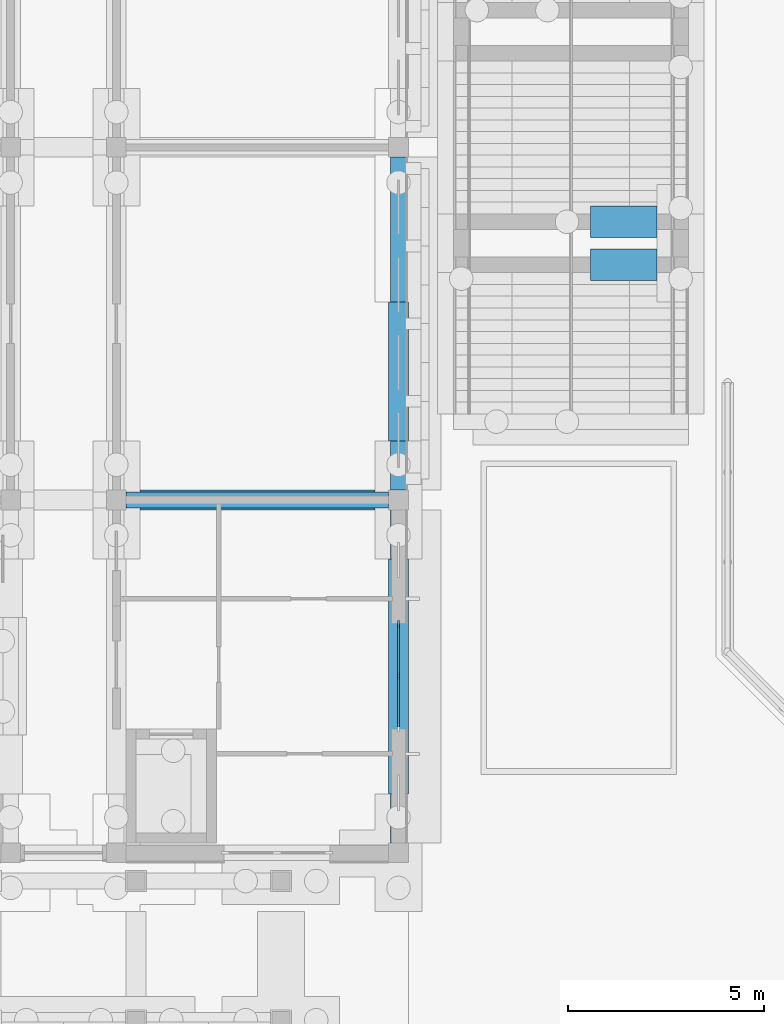
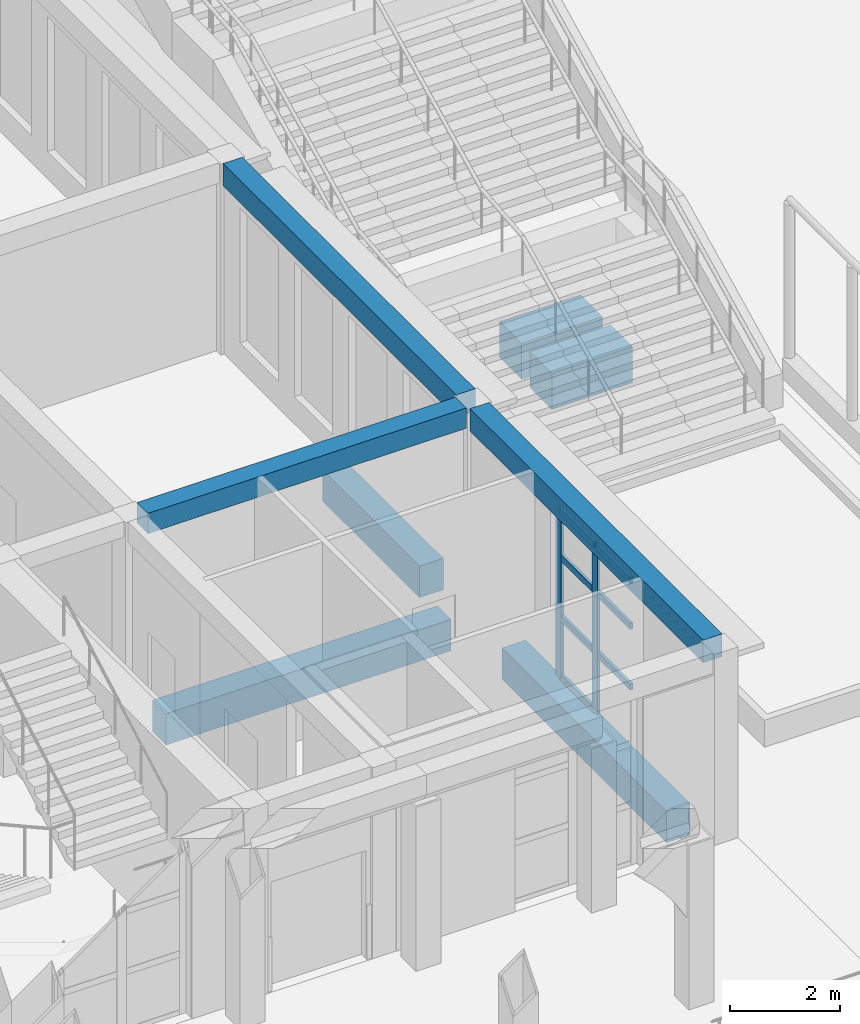
# One storey, part 34 of 161: 9 members, 8 beams, 1 element without a shape of its own.
"""IFC4 building model written with IfcOpenShell, lengths in metres."""

from ifc_helpers import new_model, si_unit, direction, frame, origin, origin_2d, place, context, subcontext, project, spatial, rectangle, extrude, material, layer, layer_set, material_profile, profile_set, type_object, element, aggregate, save


model = new_model("IFC4")

# Units and contexts
model_context = context("Model", 3, precision=1e-05, world=origin(), true_north=direction((0.0, 1.0)))
body_context = subcontext(model_context, "Body", "Model", "MODEL_VIEW")
ifc_project = project(units=[si_unit("LENGTHUNIT", "METRE"), si_unit("AREAUNIT", "SQUARE_METRE"), si_unit("VOLUMEUNIT", "CUBIC_METRE"), si_unit("PLANEANGLEUNIT", "RADIAN"), si_unit("MASSUNIT", "GRAM", prefix="KILO")], contexts=[model_context])

# Site, building, storey
site_placement = place(None, origin())
site = spatial("IfcSite", under=ifc_project, at=site_placement, CompositionType="ELEMENT")
building_placement = place(site_placement, origin())
building = spatial("IfcBuilding", under=site, at=building_placement, Name="Elbe Cascade School", CompositionType="ELEMENT")
storey_placement = place(building_placement, origin())
storey = spatial("IfcBuildingStorey", under=building, at=storey_placement, Name="L00", CompositionType="ELEMENT", Elevation=0.0)

# Curtain wall, members
ifc_material_1 = material(Name="Aluminium frame with double glazing, bronze anodised", Category="aluminium")
ifc_layer = layer(ifc_material_1, 0.199951171875)
ifc_layer_set = layer_set([ifc_layer], Name="Aluminium frame with double glazing, bronze anodised")
curtain_wall_type = type_object("IfcCurtainWallType", Name="Bars envelope Curtain wall, aluminium, bronze anodised, ground floor tall run", PredefinedType="NOTDEFINED", material=ifc_layer_set)
curtain_wall_placement = place(storey_placement, origin())
curtain_wall = element("IfcCurtainWall", 1, at=curtain_wall_placement, inside=storey, type_object=curtain_wall_type, Name="Curtain wall CW3 D.L00.e1", PredefinedType="NOTDEFINED")
ifc_material_2 = material(Name="Aluminium mullion, bronze anodised", Category="aluminium")
ifc_material_profile_1 = material_profile(ifc_material_2, rectangle(XDim=0.06005859375, YDim=0.199951171875, at=origin_2d()), Name="Bars envelope Curtain wall mullion 60 x 200, aluminium, ground floor tall run")
ifc_profile_set_1 = profile_set([ifc_material_profile_1], Name="Aluminium mullion, bronze anodised")
member_type_1 = type_object("IfcMemberType", Name="Bars envelope Curtain wall mullion 60 x 200, aluminium, ground floor tall run", PredefinedType="MULLION", material=ifc_profile_set_1)
member_1_placement = place(storey_placement, frame((174.89990234375, 11.820068359375, 0.0), z_axis=(0.0, 0.0, 1.0), x_axis=(1.0, 0.0, 0.0)))
member_1 = element("IfcMember", 2, at=member_1_placement, type_object=member_type_1, Name="CW3 mullion 1", PredefinedType="MULLION", context=body_context, shape_type="SweptSolid", body=[
    extrude(rectangle(XDim=0.06005859375, YDim=0.199951171875, at=origin_2d()), origin(), (0.0, 0.0, 1.0), 3.75),
])
member_2_placement = place(storey_placement, frame((174.89990234375, 10.5, 0.0), z_axis=(0.0, 0.0, 1.0), x_axis=(1.0, 0.0, 0.0)))
member_2 = element("IfcMember", 3, at=member_2_placement, type_object=member_type_1, Name="CW3 mullion 2", PredefinedType="MULLION", context=body_context, shape_type="SweptSolid", body=[
    extrude(rectangle(XDim=0.06005859375, YDim=0.199951171875, at=origin_2d()), origin(), (0.0, 0.0, 1.0), 3.75),
])
ifc_material_3 = material(Name="Aluminium transom, bronze anodised", Category="aluminium")
ifc_material_profile_2 = material_profile(ifc_material_3, rectangle(XDim=0.06005859375, YDim=0.139892578125, at=origin_2d()), Name="Bars envelope Curtain wall transom 60 x 140, aluminium, ground floor tall run")
ifc_profile_set_2 = profile_set([ifc_material_profile_2], Name="Aluminium transom, bronze anodised")
member_type_2 = type_object("IfcMemberType", Name="Bars envelope Curtain wall transom 60 x 140, aluminium, ground floor tall run", PredefinedType="USERDEFINED", material=ifc_profile_set_2)
member_3_placement = place(storey_placement, frame((174.89990234375, 11.7900390625, 0.030029296875), z_axis=(0.0, -1.0, 0.0), x_axis=(1.0, 0.0, 0.0)))
member_3 = element("IfcMember", 4, at=member_3_placement, type_object=member_type_2, Name="CW3 transom 1.1", ObjectType="TRANSOM", PredefinedType="USERDEFINED", context=body_context, shape_type="SweptSolid", body=[
    extrude(rectangle(XDim=0.06005859375, YDim=0.139892578125, at=origin_2d()), origin(), (0.0, 0.0, 1.0), 1.260009765625),
])
member_4_placement = place(storey_placement, frame((174.89990234375, 11.7900390625, 1.35009765625), z_axis=(0.0, -1.0, 0.0), x_axis=(1.0, 0.0, 0.0)))
member_4 = element("IfcMember", 5, at=member_4_placement, type_object=member_type_2, Name="CW3 transom 1.2", ObjectType="TRANSOM", PredefinedType="USERDEFINED", context=body_context, shape_type="SweptSolid", body=[
    extrude(rectangle(XDim=0.06005859375, YDim=0.139892578125, at=origin_2d()), origin(), (0.0, 0.0, 1.0), 1.260009765625),
])
member_5_placement = place(storey_placement, frame((174.89990234375, 11.7900390625, 2.699951171875), z_axis=(0.0, -1.0, 0.0), x_axis=(1.0, 0.0, 0.0)))
member_5 = element("IfcMember", 6, at=member_5_placement, type_object=member_type_2, Name="CW3 transom 1.3", ObjectType="TRANSOM", PredefinedType="USERDEFINED", context=body_context, shape_type="SweptSolid", body=[
    extrude(rectangle(XDim=0.06005859375, YDim=0.139892578125, at=origin_2d()), origin(), (0.0, 0.0, 1.0), 1.260009765625),
])
member_6_placement = place(storey_placement, frame((174.89990234375, 11.7900390625, 3.719970703125), z_axis=(0.0, -1.0, 0.0), x_axis=(1.0, 0.0, 0.0)))
member_6 = element("IfcMember", 7, at=member_6_placement, type_object=member_type_2, Name="CW3 transom 1.4", ObjectType="TRANSOM", PredefinedType="USERDEFINED", context=body_context, shape_type="SweptSolid", body=[
    extrude(rectangle(XDim=0.06005859375, YDim=0.139892578125, at=origin_2d()), origin(), (0.0, 0.0, 1.0), 1.260009765625),
])
member_7_placement = place(storey_placement, frame((174.89990234375, 10.469970703125, 1.35009765625), z_axis=(0.0, -1.0, 0.0), x_axis=(1.0, 0.0, 0.0)))
member_7 = element("IfcMember", 8, at=member_7_placement, type_object=member_type_2, Name="CW3 transom 2.2", ObjectType="TRANSOM", PredefinedType="USERDEFINED", context=body_context, shape_type="SweptSolid", body=[
    extrude(rectangle(XDim=0.06005859375, YDim=0.139892578125, at=origin_2d()), origin(), (0.0, 0.0, 1.0), 1.260009765625),
])
member_8_placement = place(storey_placement, frame((174.89990234375, 10.469970703125, 2.699951171875), z_axis=(0.0, -1.0, 0.0), x_axis=(1.0, 0.0, 0.0)))
member_8 = element("IfcMember", 9, at=member_8_placement, type_object=member_type_2, Name="CW3 transom 2.3", ObjectType="TRANSOM", PredefinedType="USERDEFINED", context=body_context, shape_type="SweptSolid", body=[
    extrude(rectangle(XDim=0.06005859375, YDim=0.139892578125, at=origin_2d()), origin(), (0.0, 0.0, 1.0), 1.260009765625),
])
member_9_placement = place(storey_placement, frame((174.89990234375, 10.469970703125, 3.719970703125), z_axis=(0.0, -1.0, 0.0), x_axis=(1.0, 0.0, 0.0)))
member_9 = element("IfcMember", 10, at=member_9_placement, type_object=member_type_2, Name="CW3 transom 2.4", ObjectType="TRANSOM", PredefinedType="USERDEFINED", context=body_context, shape_type="SweptSolid", body=[
    extrude(rectangle(XDim=0.06005859375, YDim=0.139892578125, at=origin_2d()), origin(), (0.0, 0.0, 1.0), 1.260009765625),
])
aggregate(curtain_wall, [member_1, member_2, member_3, member_4, member_5, member_6, member_7, member_8, member_9])

# Beams
ifc_material_4 = material(Name="Concrete C30/37", Category="concrete")
ifc_material_profile_3 = material_profile(ifc_material_4, rectangle(XDim=0.5, YDim=0.699951171875, at=origin_2d()), Name="RC 500x700")
ifc_profile_set_3 = profile_set([ifc_material_profile_3], Name="Concrete C30/37")
beam_type_1 = type_object("IfcBeamType", Name="Found ground beam RC 500x700", PredefinedType="BEAM", material=ifc_profile_set_3)
for number, where, z_axis, x_axis, name in (
    (11, (168.300048828125, 15.0, -0.64990234375), (1.0, 0.0, 0.0), (0.0, 1.0, 0.0), "Ground beam 287"),
    (12, (174.89990234375, 7.5, -0.64990234375), (0.0, 1.0, 0.0), (-1.0, 0.0, 0.0), "Ground beam 313"),
):
    element("IfcBeam", number, at=place(storey_placement, frame(where, z_axis=z_axis, x_axis=x_axis)), inside=storey, type_object=beam_type_1, Name=name, PredefinedType="BEAM", context=body_context, shape_type="SweptSolid", body=[
        extrude(rectangle(XDim=0.5, YDim=0.699951171875, at=origin_2d()), origin(), (0.0, 0.0, 1.0), 6.0),
    ])
beam_1_placement = place(storey_placement, frame((174.89990234375, 16.5, -0.64990234375), z_axis=(0.0, 1.0, 0.0), x_axis=(-1.0, 0.0, 0.0)))
element("IfcBeam", 13, at=beam_1_placement, inside=storey, type_object=beam_type_1, Name="Ground beam 314", PredefinedType="BEAM", context=body_context, shape_type="SweptSolid", body=[
    extrude(rectangle(XDim=0.5, YDim=0.699951171875, at=origin_2d()), origin(), (0.0, 0.0, 1.0), 3.550048828125),
])
ifc_material_5 = material(Name="Concrete C30/37", Category="concrete")
ifc_material_profile_4 = material_profile(ifc_material_5, rectangle(XDim=0.800048828125, YDim=0.800048828125, at=origin_2d()), Name="RC 800x800")
ifc_profile_set_4 = profile_set([ifc_material_profile_4], Name="Concrete C30/37")
beam_type_2 = type_object("IfcBeamType", Name="Found ground beam RC 800x800", PredefinedType="BEAM", material=ifc_profile_set_4)
for number, where, z_axis, x_axis, name in (
    (14, (179.800048828125, 21.0, -0.699951171875), (1.0, 0.0, 0.0), (0.0, 1.0, 0.0), "Ground beam 086"),
    (15, (179.800048828125, 22.10009765625, -0.699951171875), (1.0, 0.0, 0.0), (0.0, 1.0, 0.0), "Ground beam 087"),
):
    element("IfcBeam", number, at=place(storey_placement, frame(where, z_axis=z_axis, x_axis=x_axis)), inside=storey, type_object=beam_type_2, Name=name, PredefinedType="BEAM", context=body_context, shape_type="SweptSolid", body=[
        extrude(rectangle(XDim=0.800048828125, YDim=0.800048828125, at=origin_2d()), origin(), (0.0, 0.0, 1.0), 1.699951171875),
    ])
ifc_material_6 = material(Name="Concrete C30/37", Category="concrete")
ifc_material_profile_5 = material_profile(ifc_material_6, rectangle(XDim=0.39990234375, YDim=0.449951171875, at=origin_2d()), Name="RC 400x450")
ifc_profile_set_5 = profile_set([ifc_material_profile_5], Name="Concrete C30/37")
beam_type_3 = type_object("IfcBeamType", Name="RC 400x450 beam", PredefinedType="BEAM", material=ifc_profile_set_5)
beam_2_placement = place(storey_placement, frame((167.949951171875, 15.0, 4.02490234375), z_axis=(1.0, 0.0, 0.0), x_axis=(0.0, 1.0, 0.0)))
element("IfcBeam", 16, at=beam_2_placement, inside=storey, type_object=beam_type_3, Name="RC 400x450 beam B2", PredefinedType="BEAM", context=body_context, shape_type="SweptSolid", body=[
    extrude(rectangle(XDim=0.39990234375, YDim=0.449951171875, at=origin_2d()), origin(), (0.0, 0.0, 1.0), 6.699951171875),
])
ifc_material_7 = material(Name="Concrete C30/37", Category="concrete")
ifc_material_profile_6 = material_profile(ifc_material_7, rectangle(XDim=0.39990234375, YDim=0.5, at=origin_2d()), Name="RC 400x500")
ifc_profile_set_6 = profile_set([ifc_material_profile_6], Name="Concrete C30/37")
beam_type_4 = type_object("IfcBeamType", Name="RC 400x500 beam", PredefinedType="BEAM", material=ifc_profile_set_6)
for number, where, z_axis, x_axis, name in (
    (17, (174.89990234375, 6.25, 4.0), (0.0, 1.0, 0.0), (-1.0, 0.0, 0.0), "RC 400x500 beam B1"),
    (18, (174.89990234375, 15.25, 4.0), (0.0, 1.0, 0.0), (-1.0, 0.0, 0.0), "RC 400x500 beam B1"),
):
    element("IfcBeam", number, at=place(storey_placement, frame(where, z_axis=z_axis, x_axis=x_axis)), inside=storey, type_object=beam_type_4, Name=name, PredefinedType="BEAM", context=body_context, shape_type="SweptSolid", body=[
        extrude(rectangle(XDim=0.39990234375, YDim=0.5, at=origin_2d()), origin(), (0.0, 0.0, 1.0), 8.5),
    ])

save(model, "model.ifc")
